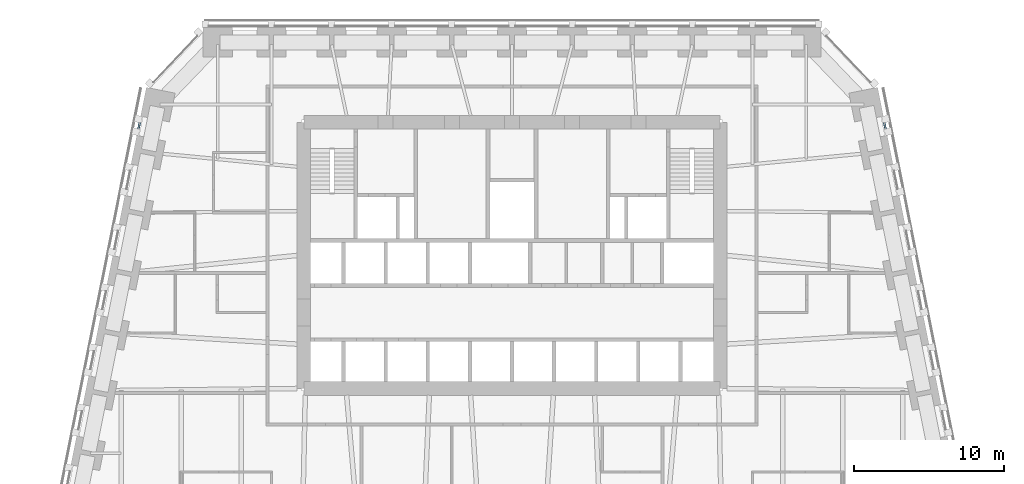
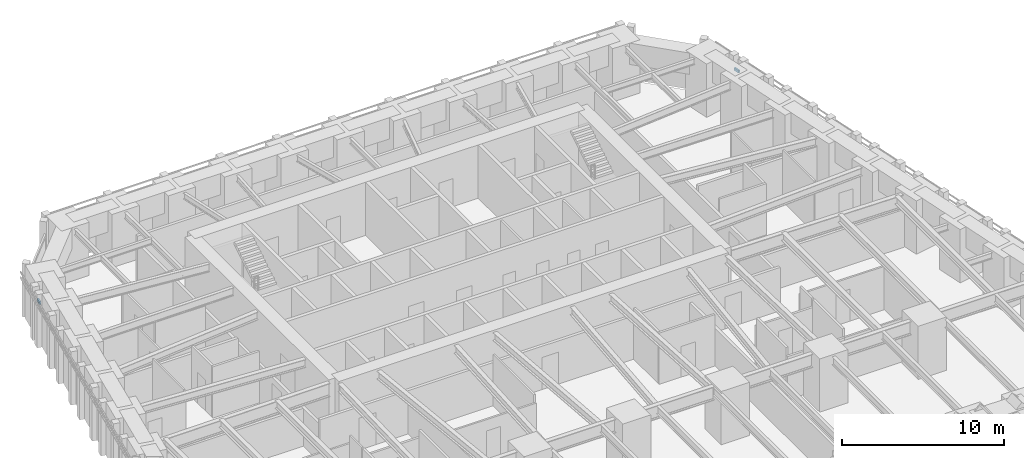
# One storey, part 6 of 16: 2 members, 2 elements without a shape of their own.
"""IFC4 building model written with IfcOpenShell, lengths in metres."""

import ifcopenshell
import ifcopenshell.guid

model = None  # the IFC model being written
_history = None  # IfcOwnerHistory: only IFC2X3 demands one
_inside = {}  # id of a spatial element -> (the spatial element, [elements in it])
_under = {}  # id of a project, library or spatial element -> (it, [spatial elements below it])
_declared = {}  # id of a project -> (the project, [libraries it declares])
_typed = {}  # id of a type object -> (the type object, [elements of that type])
_made_of = {}  # id of a material, layer set ... -> (it, [elements and type objects made of it])


def new_model(schema):
    """Start an empty IFC model of exactly this schema.

    Asked for "IFC4X3", IfcOpenShell would pick the latest addendum, in which some entities
    have other attributes; the version numbers below select the first issue.
    IFC2X3 requires an IfcOwnerHistory on every rooted entity: one is made here for all.
    """
    global model, _history
    if schema == "IFC4X3":
        model = ifcopenshell.file(schema_version=(4, 3, 0, 0))
    else:
        model = ifcopenshell.file(schema=schema)
    _inside.clear()
    _under.clear()
    _declared.clear()
    _typed.clear()
    _made_of.clear()
    _history = None
    if model.schema == "IFC2X3":
        org = make("IfcOrganization", Name="unknown")
        user = make(
            "IfcPersonAndOrganization",
            ThePerson=make("IfcPerson", FamilyName="unknown"),
            TheOrganization=org,
        )
        app = make(
            "IfcApplication",
            ApplicationDeveloper=org,
            Version="unknown",
            ApplicationFullName="unknown",
            ApplicationIdentifier="unknown",
        )
        _history = make(
            "IfcOwnerHistory",
            OwningUser=user,
            OwningApplication=app,
            ChangeAction="ADDED",
            CreationDate=0,
        )
    return model


def make(cls, **values):
    """One entity of the class cls with the attributes given. An attribute that is None is left unset."""
    return model.create_entity(
        cls, **{name: value for name, value in values.items() if value is not None}
    )


def rooted(cls, **values):
    """An entity with a GlobalId (a new one), such as an element, a storey or a relation."""
    return make(cls, GlobalId=ifcopenshell.guid.new(), OwnerHistory=_history, **values)


def si_unit(unit_type, name, prefix=None):
    """IfcSIUnit, for example si_unit("LENGTHUNIT", "METRE", prefix="MILLI")."""
    return make("IfcSIUnit", UnitType=unit_type, Prefix=prefix, Name=name)


def assignment(units):
    """IfcUnitAssignment: the units of a project."""
    return None if units is None else make("IfcUnitAssignment", Units=units)


def point(xyz):
    """IfcCartesianPoint."""
    return None if xyz is None else make("IfcCartesianPoint", Coordinates=xyz)


def direction(xyz):
    """IfcDirection."""
    return None if xyz is None else make("IfcDirection", DirectionRatios=xyz)


def frame(location, z_axis=None, x_axis=None):
    """IfcAxis2Placement3D, a coordinate frame: its origin and axes. An axis left out is left unset."""
    return make(
        "IfcAxis2Placement3D",
        Location=point(location),
        Axis=direction(z_axis),
        RefDirection=direction(x_axis),
    )


def frame_2d(location, x_axis=None):
    """IfcAxis2Placement2D, a coordinate frame in the plane: its origin and x axis."""
    return make(
        "IfcAxis2Placement2D", Location=point(location), RefDirection=direction(x_axis)
    )


def origin():
    """The frame at (0, 0, 0) with its axes left unset."""
    return frame((0.0, 0.0, 0.0))


def origin_2d():
    """The frame at (0, 0) in the plane with its x axis left unset."""
    return frame_2d((0.0, 0.0))


def place(relative_to, where):
    """IfcLocalPlacement: puts the frame where relative to a parent placement (None: the world)."""
    return make(
        "IfcLocalPlacement", PlacementRelTo=relative_to, RelativePlacement=where
    )


def context(
    kind, dimensions, precision=None, world=None, true_north=None, identifier=None
):
    """IfcGeometricRepresentationContext, for example the 3D "Model" context."""
    return make(
        "IfcGeometricRepresentationContext",
        ContextIdentifier=identifier,
        ContextType=kind,
        CoordinateSpaceDimension=dimensions,
        Precision=precision,
        WorldCoordinateSystem=world,
        TrueNorth=true_north,
    )


def subcontext(parent, identifier, kind, view, scale=None):
    """IfcGeometricRepresentationSubContext, for example "Body" below "Model"."""
    return make(
        "IfcGeometricRepresentationSubContext",
        ContextIdentifier=identifier,
        ContextType=kind,
        ParentContext=parent,
        TargetScale=scale,
        TargetView=view,
    )


def project(units=None, contexts=None):
    """IfcProject with its units and contexts."""
    return rooted(
        "IfcProject",
        Name="project",
        RepresentationContexts=contexts,
        UnitsInContext=assignment(units),
    )


def spatial(cls, under=None, at=None, **own):
    """A site, building, storey or space (cls), placed at a placement, below another one or the project."""
    s = rooted(cls, ObjectPlacement=at, **own)
    if under is not None:
        _under.setdefault(under.id(), (under, []))[1].append(s)
    return s


def profile(cls, at=None, kind="AREA", **sizes):
    """A parametric profile (cls). Its sizes go by their IFC names, for example OverallWidth=200.0."""
    return make(cls, ProfileType=kind, Position=at, **sizes)


def rectangle(**sizes):
    """IfcRectangleProfileDef."""
    return profile("IfcRectangleProfileDef", **sizes)


def extrude(swept, where, along, depth):
    """IfcExtrudedAreaSolid: the profile swept, set in the frame where, extruded along a direction by depth."""
    return make(
        "IfcExtrudedAreaSolid",
        SweptArea=swept,
        Position=where,
        ExtrudedDirection=direction(along),
        Depth=depth,
    )


def shape(context_of_items, identifier, shape_type, items):
    """IfcShapeRepresentation: the items that make up one representation, for example the "Body"."""
    return make(
        "IfcShapeRepresentation",
        ContextOfItems=context_of_items,
        RepresentationIdentifier=identifier,
        RepresentationType=shape_type,
        Items=items,
    )


def material(Name=None, Category=None):
    """IfcMaterial."""
    return make("IfcMaterial", Name=Name, Category=Category)


def material_profile(
    of_material, cross_section, Name=None, Category=None, Priority=None
):
    """IfcMaterialProfile: a cross section and its material."""
    return make(
        "IfcMaterialProfile",
        Name=Name,
        Material=of_material,
        Profile=cross_section,
        Priority=Priority,
        Category=Category,
    )


def profile_set(profiles, Name=None, composite=None):
    """IfcMaterialProfileSet."""
    return make(
        "IfcMaterialProfileSet",
        Name=Name,
        MaterialProfiles=profiles,
        CompositeProfile=composite,
    )


def made_of(thing, what):
    """Note that an element or type object is made of a material, layer set ...; save() writes the relation."""
    if what is not None:
        _made_of.setdefault(what.id(), (what, []))[1].append(thing)
    return thing


def type_object(cls, material=None, **own):
    """A type object (cls), such as IfcWallType, which elements share."""
    return made_of(rooted(cls, **own), material)


def element(
    cls,
    number,
    at=None,
    inside=None,
    cuts=None,
    type_object=None,
    material=None,
    context=None,
    identifier="Body",
    shape_type=None,
    held_by="IfcProductDefinitionShape",
    body=None,
    shapes=None,
    **own,
):
    """One element of the class cls, such as IfcWall. Its Tag is "e" and its number.

    at: its placement. inside: the storey or other place that contains it. cuts: it is an
    opening in that element (IfcRelVoidsElement). A single representation is given by context,
    identifier, shape_type and body (its items); several are given by shapes. held_by: the class
    of the entity that holds the representations. save() writes the other relations.
    """
    e = rooted(cls, Tag="e%d" % number, ObjectPlacement=at, **own)
    if body is not None:
        shapes = [shape(context, identifier, shape_type, body)]
    if shapes is not None:
        e.Representation = make(held_by, Representations=shapes)
    if inside is not None:
        _inside.setdefault(inside.id(), (inside, []))[1].append(e)
    if cuts is not None:
        rooted(
            "IfcRelVoidsElement", RelatingBuildingElement=cuts, RelatedOpeningElement=e
        )
    if type_object is not None:
        _typed.setdefault(type_object.id(), (type_object, []))[1].append(e)
    return made_of(e, material)


def aggregate(whole, parts):
    """IfcRelAggregates: a whole, such as a stair, and the parts it consists of."""
    return rooted("IfcRelAggregates", RelatingObject=whole, RelatedObjects=parts)


def save(model, path):
    """Write the relations noted so far, then the file.

    IfcRelAggregates (storeys below a building ...), IfcRelContainedInSpatialStructure (elements
    in a storey), IfcRelDefinesByType, IfcRelAssociatesMaterial and IfcRelDeclares: one each for
    every whole, place, type object, material and project.
    """
    for whole, parts in _under.values():
        aggregate(whole, parts)
    for where, things in _inside.values():
        rooted(
            "IfcRelContainedInSpatialStructure",
            RelatedElements=things,
            RelatingStructure=where,
        )
    for kind, things in _typed.values():
        rooted("IfcRelDefinesByType", RelatedObjects=things, RelatingType=kind)
    for what, things in _made_of.values():
        rooted("IfcRelAssociatesMaterial", RelatedObjects=things, RelatingMaterial=what)
    for by, libraries in _declared.values():
        rooted("IfcRelDeclares", RelatingContext=by, RelatedDefinitions=libraries)
    model.write(path)


model = new_model("IFC4")

# Units and contexts
model_context = context("Model", 3, precision=1e-05, world=origin(), true_north=direction((0.0, 1.0)))
body_context = subcontext(model_context, "Body", "Model", "MODEL_VIEW")
ifc_project = project(units=[si_unit("LENGTHUNIT", "METRE"), si_unit("AREAUNIT", "SQUARE_METRE"), si_unit("VOLUMEUNIT", "CUBIC_METRE"), si_unit("PLANEANGLEUNIT", "RADIAN"), si_unit("MASSUNIT", "GRAM", prefix="KILO")], contexts=[model_context])

# Site, building, storey
site_placement = place(None, origin())
site = spatial("IfcSite", under=ifc_project, at=site_placement, CompositionType="ELEMENT")
building_placement = place(site_placement, origin())
building = spatial("IfcBuilding", under=site, at=building_placement, Name="Isbrekke Arena Tower", CompositionType="ELEMENT")
storey_placement = place(building_placement, frame((0.0, 0.0, 44.0)))
storey = spatial("IfcBuildingStorey", under=building, at=storey_placement, Name="L08", CompositionType="ELEMENT", Elevation=44.0)

# Curtain wall, member
ifc_material_1 = material(Name="Glazed aluminium curtain wall", Category="aluminium")
curtain_wall_type = type_object("IfcCurtainWallType", Name="CWL TOWER CURTAIN WALL LOW ZONE", PredefinedType="USERDEFINED", material=ifc_material_1)
curtain_wall_1_placement = place(storey_placement, origin())
curtain_wall_1 = element("IfcCurtainWall", 1, at=curtain_wall_1_placement, inside=storey, type_object=curtain_wall_type, Name="CWL curtain wall L08-E19", ObjectType="TOWER CURTAIN WALL LOW ZONE", PredefinedType="USERDEFINED")
ifc_material_2 = material(Name="Aluminium transom", Category="aluminium")
ifc_material_profile = material_profile(ifc_material_2, rectangle(XDim=0.1201171875, YDim=0.199951171875, at=origin_2d()), Name="TRANSOM 120X200")
ifc_profile_set = profile_set([ifc_material_profile], Name="Aluminium transom")
member_type = type_object("IfcMemberType", Name="CWL-T TRANSOM 120 x 200", PredefinedType="USERDEFINED", material=ifc_profile_set)
member_1_placement = place(storey_placement, frame((24.843017578125, 23.421875, 3.0), z_axis=(-0.196000512897, 0.98060379305, 0.0), x_axis=(-0.98060379305, -0.196000512897, 0.0)))
member_1 = element("IfcMember", 2, at=member_1_placement, type_object=member_type, Name="CWL-T transom 1", ObjectType="TRANSOM", PredefinedType="USERDEFINED", context=body_context, shape_type="SweptSolid", body=[
    extrude(rectangle(XDim=0.1201171875, YDim=0.199951171875, at=origin_2d()), origin(), (0.0, 0.0, 1.0), 0.406005859375),
])
aggregate(curtain_wall_1, [member_1])

curtain_wall_2_placement = place(storey_placement, origin())
curtain_wall_2 = element("IfcCurtainWall", 3, at=curtain_wall_2_placement, inside=storey, type_object=curtain_wall_type, Name="CWL curtain wall L08-W", ObjectType="TOWER CURTAIN WALL LOW ZONE", PredefinedType="USERDEFINED")
member_2_placement = place(storey_placement, frame((-24.763427734375, 23.820068359375, 3.0), z_axis=(-0.196000512897, -0.98060379305, 0.0), x_axis=(0.98060379305, -0.196000512897, 0.0)))
member_2 = element("IfcMember", 4, at=member_2_placement, type_object=member_type, Name="CWL-T transom 1", ObjectType="TRANSOM", PredefinedType="USERDEFINED", context=body_context, shape_type="SweptSolid", body=[
    extrude(rectangle(XDim=0.1201171875, YDim=0.199951171875, at=origin_2d()), origin(), (0.0, 0.0, 1.0), 0.406005859375),
])
aggregate(curtain_wall_2, [member_2])

save(model, "model.ifc")
